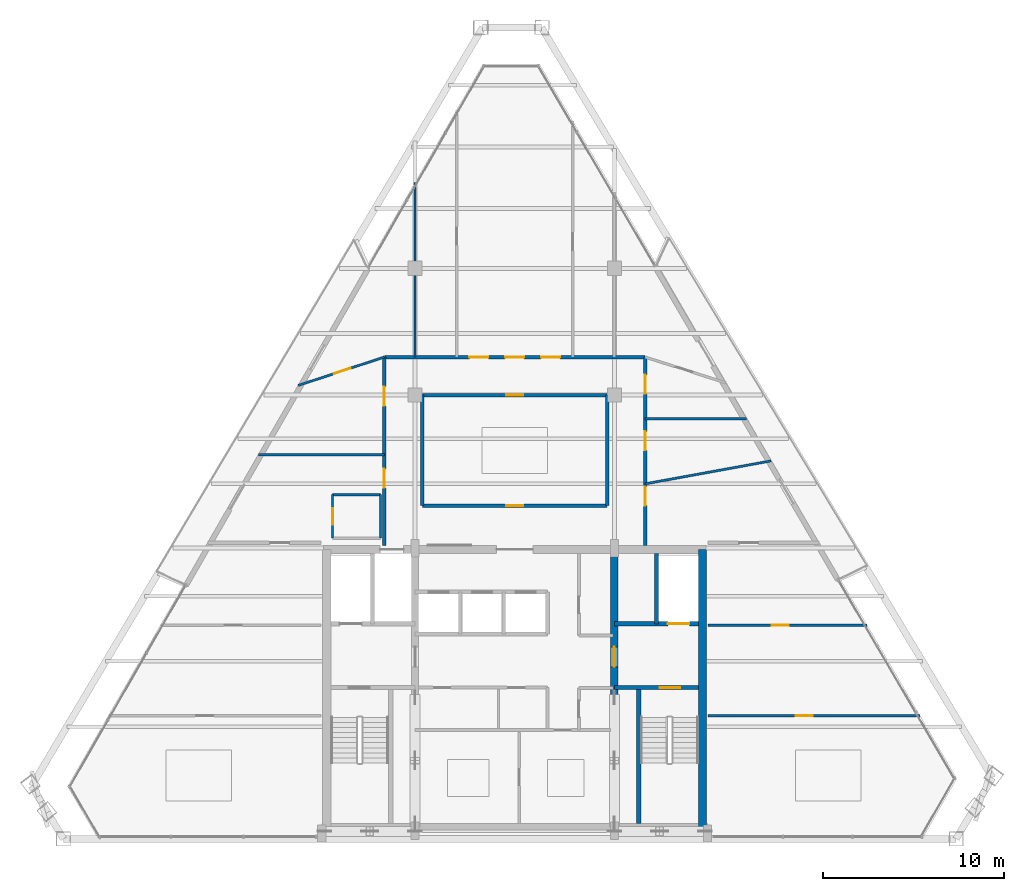
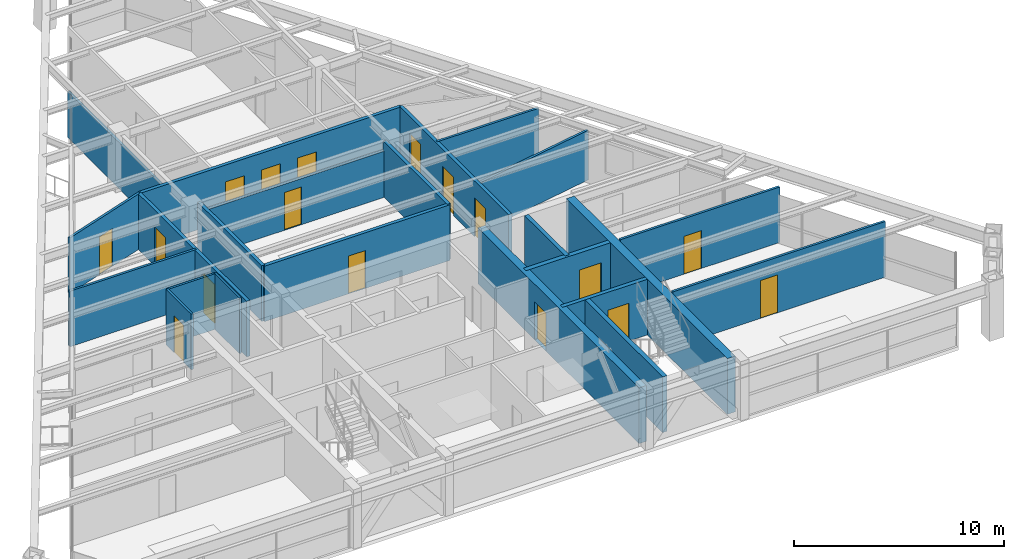
# One storey, part 10 of 13: 23 walls, 17 doors, 17 openings.
"""IFC4 building model written with IfcOpenShell, lengths in metres."""

import ifcopenshell
import ifcopenshell.guid

model = None  # the IFC model being written
_history = None  # IfcOwnerHistory: only IFC2X3 demands one
_inside = {}  # id of a spatial element -> (the spatial element, [elements in it])
_under = {}  # id of a project, library or spatial element -> (it, [spatial elements below it])
_declared = {}  # id of a project -> (the project, [libraries it declares])
_typed = {}  # id of a type object -> (the type object, [elements of that type])
_made_of = {}  # id of a material, layer set ... -> (it, [elements and type objects made of it])


def new_model(schema):
    """Start an empty IFC model of exactly this schema.

    Asked for "IFC4X3", IfcOpenShell would pick the latest addendum, in which some entities
    have other attributes; the version numbers below select the first issue.
    IFC2X3 requires an IfcOwnerHistory on every rooted entity: one is made here for all.
    """
    global model, _history
    if schema == "IFC4X3":
        model = ifcopenshell.file(schema_version=(4, 3, 0, 0))
    else:
        model = ifcopenshell.file(schema=schema)
    _inside.clear()
    _under.clear()
    _declared.clear()
    _typed.clear()
    _made_of.clear()
    _history = None
    if model.schema == "IFC2X3":
        org = make("IfcOrganization", Name="unknown")
        user = make(
            "IfcPersonAndOrganization",
            ThePerson=make("IfcPerson", FamilyName="unknown"),
            TheOrganization=org,
        )
        app = make(
            "IfcApplication",
            ApplicationDeveloper=org,
            Version="unknown",
            ApplicationFullName="unknown",
            ApplicationIdentifier="unknown",
        )
        _history = make(
            "IfcOwnerHistory",
            OwningUser=user,
            OwningApplication=app,
            ChangeAction="ADDED",
            CreationDate=0,
        )
    return model


def make(cls, **values):
    """One entity of the class cls with the attributes given. An attribute that is None is left unset."""
    return model.create_entity(
        cls, **{name: value for name, value in values.items() if value is not None}
    )


def rooted(cls, **values):
    """An entity with a GlobalId (a new one), such as an element, a storey or a relation."""
    return make(cls, GlobalId=ifcopenshell.guid.new(), OwnerHistory=_history, **values)


def si_unit(unit_type, name, prefix=None):
    """IfcSIUnit, for example si_unit("LENGTHUNIT", "METRE", prefix="MILLI")."""
    return make("IfcSIUnit", UnitType=unit_type, Prefix=prefix, Name=name)


def assignment(units):
    """IfcUnitAssignment: the units of a project."""
    return None if units is None else make("IfcUnitAssignment", Units=units)


def point(xyz):
    """IfcCartesianPoint."""
    return None if xyz is None else make("IfcCartesianPoint", Coordinates=xyz)


def direction(xyz):
    """IfcDirection."""
    return None if xyz is None else make("IfcDirection", DirectionRatios=xyz)


def frame(location, z_axis=None, x_axis=None):
    """IfcAxis2Placement3D, a coordinate frame: its origin and axes. An axis left out is left unset."""
    return make(
        "IfcAxis2Placement3D",
        Location=point(location),
        Axis=direction(z_axis),
        RefDirection=direction(x_axis),
    )


def frame_2d(location, x_axis=None):
    """IfcAxis2Placement2D, a coordinate frame in the plane: its origin and x axis."""
    return make(
        "IfcAxis2Placement2D", Location=point(location), RefDirection=direction(x_axis)
    )


def origin():
    """The frame at (0, 0, 0) with its axes left unset."""
    return frame((0.0, 0.0, 0.0))


def place(relative_to, where):
    """IfcLocalPlacement: puts the frame where relative to a parent placement (None: the world)."""
    return make(
        "IfcLocalPlacement", PlacementRelTo=relative_to, RelativePlacement=where
    )


def context(
    kind, dimensions, precision=None, world=None, true_north=None, identifier=None
):
    """IfcGeometricRepresentationContext, for example the 3D "Model" context."""
    return make(
        "IfcGeometricRepresentationContext",
        ContextIdentifier=identifier,
        ContextType=kind,
        CoordinateSpaceDimension=dimensions,
        Precision=precision,
        WorldCoordinateSystem=world,
        TrueNorth=true_north,
    )


def subcontext(parent, identifier, kind, view, scale=None):
    """IfcGeometricRepresentationSubContext, for example "Body" below "Model"."""
    return make(
        "IfcGeometricRepresentationSubContext",
        ContextIdentifier=identifier,
        ContextType=kind,
        ParentContext=parent,
        TargetScale=scale,
        TargetView=view,
    )


def project(units=None, contexts=None):
    """IfcProject with its units and contexts."""
    return rooted(
        "IfcProject",
        Name="project",
        RepresentationContexts=contexts,
        UnitsInContext=assignment(units),
    )


def spatial(cls, under=None, at=None, **own):
    """A site, building, storey or space (cls), placed at a placement, below another one or the project."""
    s = rooted(cls, ObjectPlacement=at, **own)
    if under is not None:
        _under.setdefault(under.id(), (under, []))[1].append(s)
    return s


def profile(cls, at=None, kind="AREA", **sizes):
    """A parametric profile (cls). Its sizes go by their IFC names, for example OverallWidth=200.0."""
    return make(cls, ProfileType=kind, Position=at, **sizes)


def rectangle(**sizes):
    """IfcRectangleProfileDef."""
    return profile("IfcRectangleProfileDef", **sizes)


def extrude(swept, where, along, depth):
    """IfcExtrudedAreaSolid: the profile swept, set in the frame where, extruded along a direction by depth."""
    return make(
        "IfcExtrudedAreaSolid",
        SweptArea=swept,
        Position=where,
        ExtrudedDirection=direction(along),
        Depth=depth,
    )


def shape(context_of_items, identifier, shape_type, items):
    """IfcShapeRepresentation: the items that make up one representation, for example the "Body"."""
    return make(
        "IfcShapeRepresentation",
        ContextOfItems=context_of_items,
        RepresentationIdentifier=identifier,
        RepresentationType=shape_type,
        Items=items,
    )


def source(mapping_origin, context_of_items, identifier, shape_type, items):
    """IfcRepresentationMap: a shape defined once, which mapped items show again and again."""
    return make(
        "IfcRepresentationMap",
        MappingOrigin=mapping_origin,
        MappedRepresentation=shape(context_of_items, identifier, shape_type, items),
    )


def transform(
    local_origin,
    x_axis=None,
    y_axis=None,
    z_axis=None,
    scale=None,
    scale2=None,
    scale3=None,
    uniform=True,
):
    """IfcCartesianTransformationOperator3D, or its non-uniform kind. x_axis, y_axis, z_axis: its Axis1, 2, 3."""
    if uniform:
        return make(
            "IfcCartesianTransformationOperator3D",
            Axis1=direction(x_axis),
            Axis2=direction(y_axis),
            LocalOrigin=point(local_origin),
            Scale=scale,
            Axis3=direction(z_axis),
        )
    return make(
        "IfcCartesianTransformationOperator3DnonUniform",
        Axis1=direction(x_axis),
        Axis2=direction(y_axis),
        LocalOrigin=point(local_origin),
        Scale=scale,
        Axis3=direction(z_axis),
        Scale2=scale2,
        Scale3=scale3,
    )


def mapped(mapping_source, mapping_target):
    """IfcMappedItem: shows the shape of a source again, moved by a transform."""
    return make(
        "IfcMappedItem", MappingSource=mapping_source, MappingTarget=mapping_target
    )


def material(Name=None, Category=None):
    """IfcMaterial."""
    return make("IfcMaterial", Name=Name, Category=Category)


def layer(
    of_material, thickness, ventilated=None, Name=None, Category=None, Priority=None
):
    """IfcMaterialLayer: one layer of a wall or slab, of a material (None: an air gap)."""
    return make(
        "IfcMaterialLayer",
        Material=of_material,
        LayerThickness=thickness,
        IsVentilated=ventilated,
        Name=Name,
        Category=Category,
        Priority=Priority,
    )


def layer_set(layers, Name=None):
    """IfcMaterialLayerSet."""
    return make("IfcMaterialLayerSet", MaterialLayers=layers, LayerSetName=Name)


def made_of(thing, what):
    """Note that an element or type object is made of a material, layer set ...; save() writes the relation."""
    if what is not None:
        _made_of.setdefault(what.id(), (what, []))[1].append(thing)
    return thing


def type_object(cls, material=None, **own):
    """A type object (cls), such as IfcWallType, which elements share."""
    return made_of(rooted(cls, **own), material)


def type_shapes(of_type, sources):
    """Give a type object the sources (RepresentationMaps) that its elements show as mapped items."""
    of_type.RepresentationMaps = sources


def element(
    cls,
    number,
    at=None,
    inside=None,
    cuts=None,
    type_object=None,
    material=None,
    context=None,
    identifier="Body",
    shape_type=None,
    held_by="IfcProductDefinitionShape",
    body=None,
    shapes=None,
    **own,
):
    """One element of the class cls, such as IfcWall. Its Tag is "e" and its number.

    at: its placement. inside: the storey or other place that contains it. cuts: it is an
    opening in that element (IfcRelVoidsElement). A single representation is given by context,
    identifier, shape_type and body (its items); several are given by shapes. held_by: the class
    of the entity that holds the representations. save() writes the other relations.
    """
    e = rooted(cls, Tag="e%d" % number, ObjectPlacement=at, **own)
    if body is not None:
        shapes = [shape(context, identifier, shape_type, body)]
    if shapes is not None:
        e.Representation = make(held_by, Representations=shapes)
    if inside is not None:
        _inside.setdefault(inside.id(), (inside, []))[1].append(e)
    if cuts is not None:
        rooted(
            "IfcRelVoidsElement", RelatingBuildingElement=cuts, RelatedOpeningElement=e
        )
    if type_object is not None:
        _typed.setdefault(type_object.id(), (type_object, []))[1].append(e)
    return made_of(e, material)


def fill(opening, filler):
    """IfcRelFillsElement: the door or window that sits in an opening."""
    return rooted(
        "IfcRelFillsElement",
        RelatingOpeningElement=opening,
        RelatedBuildingElement=filler,
    )


def aggregate(whole, parts):
    """IfcRelAggregates: a whole, such as a stair, and the parts it consists of."""
    return rooted("IfcRelAggregates", RelatingObject=whole, RelatedObjects=parts)


def save(model, path):
    """Write the relations noted so far, then the file.

    IfcRelAggregates (storeys below a building ...), IfcRelContainedInSpatialStructure (elements
    in a storey), IfcRelDefinesByType, IfcRelAssociatesMaterial and IfcRelDeclares: one each for
    every whole, place, type object, material and project.
    """
    for whole, parts in _under.values():
        aggregate(whole, parts)
    for where, things in _inside.values():
        rooted(
            "IfcRelContainedInSpatialStructure",
            RelatedElements=things,
            RelatingStructure=where,
        )
    for kind, things in _typed.values():
        rooted("IfcRelDefinesByType", RelatedObjects=things, RelatingType=kind)
    for what, things in _made_of.values():
        rooted("IfcRelAssociatesMaterial", RelatedObjects=things, RelatingMaterial=what)
    for by, libraries in _declared.values():
        rooted("IfcRelDeclares", RelatingContext=by, RelatedDefinitions=libraries)
    model.write(path)


model = new_model("IFC4")

# Units and contexts
model_context = context("Model", 3, precision=1e-05, world=origin(), true_north=direction((0.0, 1.0)))
body_context = subcontext(model_context, "Body", "Model", "MODEL_VIEW")
ifc_project = project(units=[si_unit("LENGTHUNIT", "METRE"), si_unit("AREAUNIT", "SQUARE_METRE"), si_unit("VOLUMEUNIT", "CUBIC_METRE"), si_unit("PLANEANGLEUNIT", "RADIAN"), si_unit("MASSUNIT", "GRAM", prefix="KILO")], contexts=[model_context])

# Site, building, storey
site_placement = place(None, origin())
site = spatial("IfcSite", under=ifc_project, at=site_placement, CompositionType="ELEMENT")
building_placement = place(site_placement, origin())
building = spatial("IfcBuilding", under=site, at=building_placement, Name="Varnakhor Terracotta Tower", CompositionType="ELEMENT")
storey_placement = place(building_placement, frame((0.0, 0.0, 286.800048828125)))
storey = spatial("IfcBuildingStorey", under=building, at=storey_placement, Name="L75", CompositionType="ELEMENT", Elevation=286.800048828125)

# Wall
ifc_material_1 = material(Name="Moisture-Resistant Tile-Backed Partition", Category="gypsum")
ifc_layer_1 = layer(ifc_material_1, 0.114990234375, Name="Moisture-Resistant Tile-Backed Partition")
ifc_layer_set_1 = layer_set([ifc_layer_1], Name="Moisture-Resistant Tile-Backed Partition")
wall_type_1 = type_object("IfcWallType", Name="WAL-BATH-115", PredefinedType="PARTITIONING", material=ifc_layer_set_1)
wall_1_placement = place(storey_placement, frame((-10.050048828125, 19.0, 0.0), z_axis=(0.0, 0.0, 1.0), x_axis=(1.0, 0.0, 0.0)))
element("IfcWall", 1, at=wall_1_placement, inside=storey, type_object=wall_type_1, Name="L75 En-Suite 1 Wall N", PredefinedType="PARTITIONING", context=body_context, shape_type="SweptSolid", body=[
    extrude(rectangle(XDim=2.650146484375, YDim=0.114990234375, at=frame_2d((1.3251953125, 0.0))), origin(), (0.0, 0.0, 1.0), 3.23193359375),
])

# Wall, opening, door
wall_2_placement = place(storey_placement, frame((-10.050048828125, 16.60009765625, 0.0), z_axis=(0.0, 0.0, 1.0), x_axis=(0.0, 1.0, 0.0)))
wall_2 = element("IfcWall", 2, at=wall_2_placement, inside=storey, type_object=wall_type_1, Name="L75 En-Suite 1 Wall W", PredefinedType="PARTITIONING", context=body_context, shape_type="SweptSolid", body=[
    extrude(rectangle(XDim=2.39990234375, YDim=0.114990234375, at=frame_2d((1.199951171875, 0.0))), origin(), (0.0, 0.0, 1.0), 3.23193359375),
])
opening_1_placement = place(wall_2_placement, frame((0.75, 0.0, 0.0)))
opening_1 = element("IfcOpeningElement", 3, at=opening_1_placement, cuts=wall_2, Name="Opening DR-93", PredefinedType="OPENING", context=body_context, shape_type="SweptSolid", body=[
    extrude(rectangle(XDim=0.89990234375, YDim=2.14990234375, at=frame_2d((0.449951171875, 1.074951171875))), frame((0.0, 0.0673828125, 0.0), z_axis=(0.0, -1.0, 0.0), x_axis=(1.0, 0.0, 0.0)), (0.0, 0.0, 1.0), 0.135009765625),
])
ifc_material_2 = material(Name="Moisture-Resistant Accessible Bathroom Door", Category="wood")
door_type_1 = type_object("IfcDoorType", Name="DR-BATH-900X2150", OperationType="NOTDEFINED", PredefinedType="DOOR", material=ifc_material_2)
shared_shape_1 = source(origin(), body_context, "Body", "SweptSolid", [
    extrude(rectangle(XDim=0.89990234375, YDim=2.14990234375, at=frame_2d((0.449951171875, 1.074951171875))), frame((0.0, 0.02490234375, 0.0), z_axis=(0.0, -1.0, 0.0), x_axis=(1.0, 0.0, 0.0)), (0.0, 0.0, 1.0), 0.050048828125),
])
type_shapes(door_type_1, [shared_shape_1])
door_1_placement = place(opening_1_placement, origin())
door_1 = element("IfcDoor", 4, at=door_1_placement, inside=storey, type_object=door_type_1, Name="L75 En-Suite Bathroom 1 Door", OperationType="SINGLE_SWING_LEFT", OverallHeight=2.14990234375, OverallWidth=0.89990234375, PredefinedType="DOOR", context=body_context, shape_type="MappedRepresentation", body=[
    mapped(shared_shape_1, transform((0.0, 0.0, 0.0), scale=1.0)),
])
fill(opening_1, door_1)

# Walls
wall_3_placement = place(storey_placement, frame((-7.39990234375, 16.60009765625, 0.0), z_axis=(0.0, 0.0, 1.0), x_axis=(0.0, 1.0, 0.0)))
element("IfcWall", 5, at=wall_3_placement, inside=storey, type_object=wall_type_1, Name="L75 En-Suite 1 Wall E", PredefinedType="PARTITIONING", context=body_context, shape_type="SweptSolid", body=[
    extrude(rectangle(XDim=2.39990234375, YDim=0.114990234375, at=frame_2d((1.199951171875, 0.0))), origin(), (0.0, 0.0, 1.0), 3.23193359375),
])
ifc_material_3 = material(Name="Concrete C50/60", Category="concrete")
ifc_layer_2 = layer(ifc_material_3, 0.449951171875, Name="Concrete C50/60")
ifc_layer_set_2 = layer_set([ifc_layer_2], Name="Concrete C50/60")
wall_type_2 = type_object("IfcWallType", Name="WAL-CORE-450", PredefinedType="SHEAR", material=ifc_layer_set_2)
wall_4_placement = place(storey_placement, frame((10.375, 0.625, 0.0), z_axis=(0.0, 0.0, 1.0), x_axis=(0.0, 1.0, 0.0)))
element("IfcWall", 6, at=wall_4_placement, inside=storey, type_object=wall_type_2, Name="L75 East Core Shear Wall", PredefinedType="SHEAR", context=body_context, shape_type="SweptSolid", body=[
    extrude(rectangle(XDim=15.35009765625, YDim=0.449951171875, at=frame_2d((7.675048828125, 0.0))), origin(), (0.0, 0.0, 1.0), 3.239990234375),
])

# Wall, opening, door
ifc_layer_3 = layer(ifc_material_3, 0.39990234375, Name="Concrete C50/60")
ifc_layer_set_3 = layer_set([ifc_layer_3], Name="Concrete C50/60")
wall_type_3 = type_object("IfcWallType", Name="WAL-CORE-WEB-400", PredefinedType="SHEAR", material=ifc_layer_set_3)
wall_5_placement = place(storey_placement, frame((5.5, 0.625, 0.0), z_axis=(0.0, 0.0, 1.0), x_axis=(0.0, 1.0, 0.0)))
wall_5 = element("IfcWall", 7, at=wall_5_placement, inside=storey, type_object=wall_type_3, Name="L75 East Core Web Shear Wall", PredefinedType="SHEAR", context=body_context, shape_type="SweptSolid", body=[
    extrude(rectangle(XDim=15.35009765625, YDim=0.39990234375, at=frame_2d((7.675048828125, 0.0))), origin(), (0.0, 0.0, 1.0), 3.239990234375),
])
opening_2_placement = place(wall_5_placement, frame((8.875, 0.0, 0.0)))
opening_2 = element("IfcOpeningElement", 8, at=opening_2_placement, cuts=wall_5, Name="Opening DR-25", PredefinedType="OPENING", context=body_context, shape_type="SweptSolid", body=[
    extrude(rectangle(XDim=1.10009765625, YDim=2.199951171875, at=frame_2d((0.550048828125, 1.10009765625))), frame((0.0, 0.2099609375, 0.0), z_axis=(0.0, -1.0, 0.0), x_axis=(1.0, 0.0, 0.0)), (0.0, 0.0, 1.0), 0.419921875),
])
ifc_material_4 = material(Name="Firefighting Lobby Self-Closing Fire Door", Category="steel")
door_type_2 = type_object("IfcDoorType", Name="DR-FFL-1100X2200", OperationType="NOTDEFINED", PredefinedType="DOOR", material=ifc_material_4)
shared_shape_2 = source(origin(), body_context, "Body", "SweptSolid", [
    extrude(rectangle(XDim=1.10009765625, YDim=2.199951171875, at=frame_2d((0.550048828125, 1.10009765625))), frame((0.0, 0.02490234375, 0.0), z_axis=(0.0, -1.0, 0.0), x_axis=(1.0, 0.0, 0.0)), (0.0, 0.0, 1.0), 0.050048828125),
])
type_shapes(door_type_2, [shared_shape_2])
door_2_placement = place(opening_2_placement, origin())
door_2 = element("IfcDoor", 9, at=door_2_placement, inside=storey, type_object=door_type_2, Name="L75 East Firefighting Lobby Door", OperationType="SINGLE_SWING_LEFT", OverallHeight=2.199951171875, OverallWidth=1.10009765625, PredefinedType="DOOR", context=body_context, shape_type="MappedRepresentation", body=[
    mapped(shared_shape_2, transform((0.0, 0.0, 0.0), scale=1.0)),
])
fill(opening_2, door_2)

ifc_material_5 = material(Name="Fire-Rated Gypsum Stud Partition", Category="gypsum")
ifc_layer_4 = layer(ifc_material_5, 0.18505859375, Name="Fire-Rated Gypsum Stud Partition")
ifc_layer_set_4 = layer_set([ifc_layer_4], Name="Fire-Rated Gypsum Stud Partition")
wall_type_4 = type_object("IfcWallType", Name="WAL-CORR-185", PredefinedType="PARTITIONING", material=ifc_layer_set_4)
wall_6_placement = place(storey_placement, frame((-5.10009765625, 18.39990234375, 0.0), z_axis=(0.0, 0.0, 1.0), x_axis=(1.0, 0.0, 0.0)))
wall_6 = element("IfcWall", 10, at=wall_6_placement, inside=storey, type_object=wall_type_4, Name="L75 Ring Inner South Wall", PredefinedType="PARTITIONING", context=body_context, shape_type="SweptSolid", body=[
    extrude(rectangle(XDim=10.2001953125, YDim=0.18505859375, at=frame_2d((5.10009765625, 0.0))), origin(), (0.0, 0.0, 1.0), 3.23193359375),
])
opening_3_placement = place(wall_6_placement, frame((4.625, 0.0, 0.0)))
opening_3 = element("IfcOpeningElement", 11, at=opening_3_placement, cuts=wall_6, Name="Opening DR-94", PredefinedType="OPENING", context=body_context, shape_type="SweptSolid", body=[
    extrude(rectangle(XDim=0.949951171875, YDim=2.199951171875, at=frame_2d((0.47509765625, 1.10009765625))), frame((0.0, 0.1025390625, 0.0), z_axis=(0.0, -1.0, 0.0), x_axis=(1.0, 0.0, 0.0)), (0.0, 0.0, 1.0), 0.205078125),
])
ifc_material_6 = material(Name="Acoustic Glazed-Vision Timber Office Door", Category="wood")
door_type_3 = type_object("IfcDoorType", Name="DR-OFF-950X2200", OperationType="NOTDEFINED", PredefinedType="DOOR", material=ifc_material_6)
shared_shape_3 = source(origin(), body_context, "Body", "SweptSolid", [
    extrude(rectangle(XDim=0.949951171875, YDim=2.199951171875, at=frame_2d((0.47509765625, 1.10009765625))), frame((0.0, 0.02490234375, 0.0), z_axis=(0.0, -1.0, 0.0), x_axis=(1.0, 0.0, 0.0)), (0.0, 0.0, 1.0), 0.050048828125),
])
type_shapes(door_type_3, [shared_shape_3])
door_3_placement = place(opening_3_placement, origin())
door_3 = element("IfcDoor", 12, at=door_3_placement, inside=storey, type_object=door_type_3, Name="L75 Housekeeping Station Door", OperationType="SINGLE_SWING_RIGHT", OverallHeight=2.199951171875, OverallWidth=0.949951171875, PredefinedType="DOOR", context=body_context, shape_type="MappedRepresentation", body=[
    mapped(shared_shape_3, transform((0.0, 0.0, 0.0), scale=1.0)),
])
fill(opening_3, door_3)

wall_7_placement = place(storey_placement, frame((-5.10009765625, 24.5, 0.0), z_axis=(0.0, 0.0, 1.0), x_axis=(1.0, 0.0, 0.0)))
wall_7 = element("IfcWall", 13, at=wall_7_placement, inside=storey, type_object=wall_type_4, Name="L75 Ring Inner North Wall", PredefinedType="PARTITIONING", context=body_context, shape_type="SweptSolid", body=[
    extrude(rectangle(XDim=10.2001953125, YDim=0.18505859375, at=frame_2d((5.10009765625, 0.0))), origin(), (0.0, 0.0, 1.0), 2.682861328125),
])
opening_4_placement = place(wall_7_placement, frame((4.625, 0.0, 0.0)))
opening_4 = element("IfcOpeningElement", 14, at=opening_4_placement, cuts=wall_7, Name="Opening DR-94", PredefinedType="OPENING", context=body_context, shape_type="SweptSolid", body=[
    extrude(rectangle(XDim=0.949951171875, YDim=2.199951171875, at=frame_2d((0.47509765625, 1.10009765625))), frame((0.0, 0.1025390625, 0.0), z_axis=(0.0, -1.0, 0.0), x_axis=(1.0, 0.0, 0.0)), (0.0, 0.0, 1.0), 0.205078125),
])
door_4_placement = place(opening_4_placement, origin())
door_4 = element("IfcDoor", 15, at=door_4_placement, inside=storey, type_object=door_type_3, Name="L75 Inner Service Door", OperationType="SINGLE_SWING_LEFT", OverallHeight=2.199951171875, OverallWidth=0.949951171875, PredefinedType="DOOR", context=body_context, shape_type="MappedRepresentation", body=[
    mapped(shared_shape_3, transform((0.0, 0.0, 0.0), scale=1.0)),
])
fill(opening_4, door_4)

# Walls
for number, where, z_axis, x_axis, name in (
    (16, (-5.10009765625, 18.39990234375, 0.0), (0.0, 0.0, 1.0), (0.0, 1.0, 0.0), "L75 Ring Inner West Wall"),
    (17, (5.10009765625, 18.39990234375, 0.0), (0.0, 0.0, 1.0), (0.0, 1.0, 0.0), "L75 Ring Inner East Wall"),
):
    element("IfcWall", number, at=place(storey_placement, frame(where, z_axis=z_axis, x_axis=x_axis)), inside=storey, type_object=wall_type_4, Name=name, PredefinedType="PARTITIONING", context=body_context, shape_type="SweptSolid", body=[
        extrude(rectangle(XDim=6.10009765625, YDim=0.18505859375, at=frame_2d((3.050048828125, 0.0))), origin(), (0.0, 0.0, 1.0), 3.23193359375),
    ])

# Wall, openings, doors
wall_8_placement = place(storey_placement, frame((-7.199951171875, 16.199951171875, 0.0), z_axis=(0.0, 0.0, 1.0), x_axis=(0.0, 1.0, 0.0)))
wall_8 = element("IfcWall", 18, at=wall_8_placement, inside=storey, type_object=wall_type_4, Name="L75 Hotel West Corridor Wall", PredefinedType="PARTITIONING", context=body_context, shape_type="SweptSolid", body=[
    extrude(rectangle(XDim=10.400146484375, YDim=0.18505859375, at=frame_2d((5.2001953125, 0.0))), origin(), (0.0, 0.0, 1.0), 3.23193359375),
])
opening_5_placement = place(wall_8_placement, frame((3.1796875, 0.0, 0.0)))
opening_5 = element("IfcOpeningElement", 19, at=opening_5_placement, cuts=wall_8, Name="Opening DR-95", PredefinedType="OPENING", context=body_context, shape_type="SweptSolid", body=[
    extrude(rectangle(XDim=1.050048828125, YDim=2.25, at=frame_2d((0.52490234375, 1.125))), frame((0.0, 0.1025390625, 0.0), z_axis=(0.0, -1.0, 0.0), x_axis=(1.0, 0.0, 0.0)), (0.0, 0.0, 1.0), 0.205078125),
])
opening_6_placement = place(wall_8_placement, frame((7.71240234375, 0.0, 0.0)))
opening_6 = element("IfcOpeningElement", 20, at=opening_6_placement, cuts=wall_8, Name="Opening DR-95", PredefinedType="OPENING", context=body_context, shape_type="SweptSolid", body=[
    extrude(rectangle(XDim=1.050048828125, YDim=2.25, at=frame_2d((0.52490234375, 1.125))), frame((0.0, 0.1025390625, 0.0), z_axis=(0.0, -1.0, 0.0), x_axis=(1.0, 0.0, 0.0)), (0.0, 0.0, 1.0), 0.205078125),
])
ifc_material_7 = material(Name="Solid-Core Timber Tenant/Hotel Entrance Door", Category="wood")
door_type_4 = type_object("IfcDoorType", Name="DR-SUITE-1050X2250", OperationType="NOTDEFINED", PredefinedType="DOOR", material=ifc_material_7)
shared_shape_4 = source(origin(), body_context, "Body", "SweptSolid", [
    extrude(rectangle(XDim=1.050048828125, YDim=2.25, at=frame_2d((0.52490234375, 1.125))), frame((0.0, 0.02490234375, 0.0), z_axis=(0.0, -1.0, 0.0), x_axis=(1.0, 0.0, 0.0)), (0.0, 0.0, 1.0), 0.050048828125),
])
type_shapes(door_type_4, [shared_shape_4])
door_5_placement = place(opening_5_placement, origin())
door_5 = element("IfcDoor", 21, at=door_5_placement, inside=storey, type_object=door_type_4, Name="L75 West Room 1 Entry Door", OperationType="SINGLE_SWING_RIGHT", OverallHeight=2.25, OverallWidth=1.050048828125, PredefinedType="DOOR", context=body_context, shape_type="MappedRepresentation", body=[
    mapped(shared_shape_4, transform((0.0, 0.0, 0.0), scale=1.0)),
])
fill(opening_5, door_5)
door_6_placement = place(opening_6_placement, origin())
door_6 = element("IfcDoor", 22, at=door_6_placement, inside=storey, type_object=door_type_4, Name="L75 West Room 2 Entry Door", OperationType="SINGLE_SWING_RIGHT", OverallHeight=2.25, OverallWidth=1.050048828125, PredefinedType="DOOR", context=body_context, shape_type="MappedRepresentation", body=[
    mapped(shared_shape_4, transform((0.0, 0.0, 0.0), scale=1.0)),
])
fill(opening_6, door_6)

wall_9_placement = place(storey_placement, frame((7.199951171875, 16.199951171875, 0.0), z_axis=(0.0, 0.0, 1.0), x_axis=(0.0, 1.0, 0.0)))
wall_9 = element("IfcWall", 23, at=wall_9_placement, inside=storey, type_object=wall_type_4, Name="L75 Hotel East Corridor Wall", PredefinedType="PARTITIONING", context=body_context, shape_type="SweptSolid", body=[
    extrude(rectangle(XDim=10.400146484375, YDim=0.18505859375, at=frame_2d((5.2001953125, 0.0))), origin(), (0.0, 0.0, 1.0), 3.23193359375),
])
opening_7_placement = place(wall_9_placement, frame((2.1982421875, 0.0, 0.0)))
opening_7 = element("IfcOpeningElement", 24, at=opening_7_placement, cuts=wall_9, Name="Opening DR-95", PredefinedType="OPENING", context=body_context, shape_type="SweptSolid", body=[
    extrude(rectangle(XDim=1.050048828125, YDim=2.25, at=frame_2d((0.52490234375, 1.125))), frame((0.0, 0.1025390625, 0.0), z_axis=(0.0, -1.0, 0.0), x_axis=(1.0, 0.0, 0.0)), (0.0, 0.0, 1.0), 0.205078125),
])
opening_8_placement = place(wall_9_placement, frame((5.25244140625, 0.0, 0.0)))
opening_8 = element("IfcOpeningElement", 25, at=opening_8_placement, cuts=wall_9, Name="Opening DR-95", PredefinedType="OPENING", context=body_context, shape_type="SweptSolid", body=[
    extrude(rectangle(XDim=1.050048828125, YDim=2.25, at=frame_2d((0.52490234375, 1.125))), frame((0.0, 0.1025390625, 0.0), z_axis=(0.0, -1.0, 0.0), x_axis=(1.0, 0.0, 0.0)), (0.0, 0.0, 1.0), 0.205078125),
])
opening_9_placement = place(wall_9_placement, frame((8.36865234375, 0.0, 0.0)))
opening_9 = element("IfcOpeningElement", 26, at=opening_9_placement, cuts=wall_9, Name="Opening DR-95", PredefinedType="OPENING", context=body_context, shape_type="SweptSolid", body=[
    extrude(rectangle(XDim=1.050048828125, YDim=2.25, at=frame_2d((0.52490234375, 1.125))), frame((0.0, 0.1025390625, 0.0), z_axis=(0.0, -1.0, 0.0), x_axis=(1.0, 0.0, 0.0)), (0.0, 0.0, 1.0), 0.205078125),
])
door_7_placement = place(opening_7_placement, origin())
door_7 = element("IfcDoor", 27, at=door_7_placement, inside=storey, type_object=door_type_4, Name="L75 East Room 1 Entry Door", OperationType="SINGLE_SWING_LEFT", OverallHeight=2.25, OverallWidth=1.050048828125, PredefinedType="DOOR", context=body_context, shape_type="MappedRepresentation", body=[
    mapped(shared_shape_4, transform((0.0, 0.0, 0.0), scale=1.0)),
])
fill(opening_7, door_7)
door_8_placement = place(opening_8_placement, origin())
door_8 = element("IfcDoor", 28, at=door_8_placement, inside=storey, type_object=door_type_4, Name="L75 East Room 2 Entry Door", OperationType="SINGLE_SWING_RIGHT", OverallHeight=2.25, OverallWidth=1.050048828125, PredefinedType="DOOR", context=body_context, shape_type="MappedRepresentation", body=[
    mapped(shared_shape_4, transform((0.0, 0.0, 0.0), scale=1.0)),
])
fill(opening_8, door_8)
door_9_placement = place(opening_9_placement, origin())
door_9 = element("IfcDoor", 29, at=door_9_placement, inside=storey, type_object=door_type_4, Name="L75 East Room 3 Entry Door", OperationType="SINGLE_SWING_LEFT", OverallHeight=2.25, OverallWidth=1.050048828125, PredefinedType="DOOR", context=body_context, shape_type="MappedRepresentation", body=[
    mapped(shared_shape_4, transform((0.0, 0.0, 0.0), scale=1.0)),
])
fill(opening_9, door_9)

wall_10_placement = place(storey_placement, frame((-7.199951171875, 26.60009765625, 0.0), z_axis=(0.0, 0.0, 1.0), x_axis=(1.0, 0.0, 0.0)))
wall_10 = element("IfcWall", 30, at=wall_10_placement, inside=storey, type_object=wall_type_4, Name="L75 Hotel North Corridor Wall", PredefinedType="PARTITIONING", context=body_context, shape_type="SweptSolid", body=[
    extrude(rectangle(XDim=14.39990234375, YDim=0.18505859375, at=frame_2d((7.199951171875, 0.0))), origin(), (0.0, 0.0, 1.0), 3.23193359375),
])
opening_10_placement = place(wall_10_placement, frame((4.697509765625, 0.0, 0.0)))
opening_10 = element("IfcOpeningElement", 31, at=opening_10_placement, cuts=wall_10, Name="Opening DR-95", PredefinedType="OPENING", context=body_context, shape_type="SweptSolid", body=[
    extrude(rectangle(XDim=1.050048828125, YDim=2.25, at=frame_2d((0.52490234375, 1.125))), frame((0.0, 0.1025390625, 0.0), z_axis=(0.0, -1.0, 0.0), x_axis=(1.0, 0.0, 0.0)), (0.0, 0.0, 1.0), 0.205078125),
])
opening_11_placement = place(wall_10_placement, frame((6.675048828125, 0.0, 0.0)))
opening_11 = element("IfcOpeningElement", 32, at=opening_11_placement, cuts=wall_10, Name="Opening DR-95", PredefinedType="OPENING", context=body_context, shape_type="SweptSolid", body=[
    extrude(rectangle(XDim=1.050048828125, YDim=2.25, at=frame_2d((0.52490234375, 1.125))), frame((0.0, 0.1025390625, 0.0), z_axis=(0.0, -1.0, 0.0), x_axis=(1.0, 0.0, 0.0)), (0.0, 0.0, 1.0), 0.205078125),
])
opening_12_placement = place(wall_10_placement, frame((8.652587890625, 0.0, 0.0)))
opening_12 = element("IfcOpeningElement", 33, at=opening_12_placement, cuts=wall_10, Name="Opening DR-95", PredefinedType="OPENING", context=body_context, shape_type="SweptSolid", body=[
    extrude(rectangle(XDim=1.050048828125, YDim=2.25, at=frame_2d((0.52490234375, 1.125))), frame((0.0, 0.1025390625, 0.0), z_axis=(0.0, -1.0, 0.0), x_axis=(1.0, 0.0, 0.0)), (0.0, 0.0, 1.0), 0.205078125),
])
door_10_placement = place(opening_10_placement, origin())
door_10 = element("IfcDoor", 34, at=door_10_placement, inside=storey, type_object=door_type_4, Name="L75 North Suite 1 Entry Door", OperationType="SINGLE_SWING_RIGHT", OverallHeight=2.25, OverallWidth=1.050048828125, PredefinedType="DOOR", context=body_context, shape_type="MappedRepresentation", body=[
    mapped(shared_shape_4, transform((0.0, 0.0, 0.0), scale=1.0)),
])
fill(opening_10, door_10)
door_11_placement = place(opening_11_placement, origin())
door_11 = element("IfcDoor", 35, at=door_11_placement, inside=storey, type_object=door_type_4, Name="L75 North Suite 2 Entry Door", OperationType="SINGLE_SWING_LEFT", OverallHeight=2.25, OverallWidth=1.050048828125, PredefinedType="DOOR", context=body_context, shape_type="MappedRepresentation", body=[
    mapped(shared_shape_4, transform((0.0, 0.0, 0.0), scale=1.0)),
])
fill(opening_11, door_11)
door_12_placement = place(opening_12_placement, origin())
door_12 = element("IfcDoor", 36, at=door_12_placement, inside=storey, type_object=door_type_4, Name="L75 North Suite 3 Entry Door", OperationType="SINGLE_SWING_RIGHT", OverallHeight=2.25, OverallWidth=1.050048828125, PredefinedType="DOOR", context=body_context, shape_type="MappedRepresentation", body=[
    mapped(shared_shape_4, transform((0.0, 0.0, 0.0), scale=1.0)),
])
fill(opening_12, door_12)

# Wall, opening, door
ifc_material_8 = material(Name="Concrete C40/50", Category="concrete")
ifc_layer_5 = layer(ifc_material_8, 0.219970703125, Name="Concrete C40/50")
ifc_layer_set_5 = layer_set([ifc_layer_5], Name="Concrete C40/50")
wall_type_5 = type_object("IfcWallType", Name="WAL-FFLOBBY-220", PredefinedType="SOLIDWALL", material=ifc_layer_set_5)
wall_11_placement = place(storey_placement, frame((10.14990234375, 8.35009765625, 0.0), z_axis=(0.0, 0.0, 1.0), x_axis=(-1.0, 0.0, 0.0)))
wall_11 = element("IfcWall", 37, at=wall_11_placement, inside=storey, type_object=wall_type_5, Name="L75 East Firefighting Lobby Stair Wall", PredefinedType="SOLIDWALL", context=body_context, shape_type="SweptSolid", body=[
    extrude(rectangle(XDim=4.64990234375, YDim=0.219970703125, at=frame_2d((2.324951171875, 0.0))), origin(), (0.0, 0.0, 1.0), 3.239990234375),
])
opening_13_placement = place(wall_11_placement, frame((1.0, 0.0, 0.0)))
opening_13 = element("IfcOpeningElement", 38, at=opening_13_placement, cuts=wall_11, Name="Opening DR-34", PredefinedType="OPENING", context=body_context, shape_type="SweptSolid", body=[
    extrude(rectangle(XDim=1.14990234375, YDim=2.199951171875, at=frame_2d((0.574951171875, 1.10009765625))), frame((0.0, 0.1201171875, 0.0), z_axis=(0.0, -1.0, 0.0), x_axis=(1.0, 0.0, 0.0)), (0.0, 0.0, 1.0), 0.239990234375),
])
ifc_material_9 = material(Name="Self-Closing Smoke-Sealed Steel Fire Door", Category="steel")
door_type_5 = type_object("IfcDoorType", Name="DR-STAIR-1150X2200", OperationType="NOTDEFINED", PredefinedType="DOOR", material=ifc_material_9)
shared_shape_5 = source(origin(), body_context, "Body", "SweptSolid", [
    extrude(rectangle(XDim=1.14990234375, YDim=2.199951171875, at=frame_2d((0.574951171875, 1.10009765625))), frame((0.0, 0.02490234375, 0.0), z_axis=(0.0, -1.0, 0.0), x_axis=(1.0, 0.0, 0.0)), (0.0, 0.0, 1.0), 0.050048828125),
])
type_shapes(door_type_5, [shared_shape_5])
door_13_placement = place(opening_13_placement, origin())
door_13 = element("IfcDoor", 39, at=door_13_placement, inside=storey, type_object=door_type_5, Name="L75 Exit Stair ST-2 Fire Door", OperationType="SINGLE_SWING_RIGHT", OverallHeight=2.199951171875, OverallWidth=1.14990234375, PredefinedType="DOOR", context=body_context, shape_type="MappedRepresentation", body=[
    mapped(shared_shape_5, transform((0.0, 0.0, 0.0), scale=1.0)),
])
fill(opening_13, door_13)

ifc_material_10 = material(Name="Acoustic Hotel Room Partition", Category="gypsum")
ifc_layer_6 = layer(ifc_material_10, 0.1298828125, Name="Acoustic Hotel Room Partition")
ifc_layer_set_6 = layer_set([ifc_layer_6], Name="Acoustic Hotel Room Partition")
wall_type_6 = type_object("IfcWallType", Name="WAL-PART-130", PredefinedType="PARTITIONING", material=ifc_layer_set_6)
wall_12_placement = place(storey_placement, frame((-11.949462890625, 25.03369140625, 0.0), z_axis=(0.0, 0.0, 1.0), x_axis=(0.949684129383, 0.313209282108, 0.0)))
wall_12 = element("IfcWall", 40, at=wall_12_placement, inside=storey, type_object=wall_type_6, Name="L75 North West Suite South Wall", PredefinedType="PARTITIONING", context=body_context, shape_type="SweptSolid", body=[
    extrude(rectangle(XDim=5.001220703125, YDim=0.1298828125, at=frame_2d((2.50048828125, 0.0))), origin(), (0.0, 0.0, 1.0), 3.23193359375),
])
opening_14_placement = place(wall_12_placement, frame((2.086669921875, 0.0, 0.0)))
opening_14 = element("IfcOpeningElement", 41, at=opening_14_placement, cuts=wall_12, Name="Opening DR-94", PredefinedType="OPENING", context=body_context, shape_type="SweptSolid", body=[
    extrude(rectangle(XDim=0.949951171875, YDim=2.199951171875, at=frame_2d((0.47509765625, 1.10009765625))), frame((0.0, 0.074951171875, 0.0), z_axis=(0.0, -1.0, 0.0), x_axis=(1.0, 0.0, 0.0)), (0.0, 0.0, 1.0), 0.14990234375),
])
door_14_placement = place(opening_14_placement, origin())
door_14 = element("IfcDoor", 42, at=door_14_placement, inside=storey, type_object=door_type_3, Name="L75 Hearing Registry Office NW Door", OperationType="SINGLE_SWING_RIGHT", OverallHeight=2.199951171875, OverallWidth=0.949951171875, PredefinedType="DOOR", context=body_context, shape_type="MappedRepresentation", body=[
    mapped(shared_shape_3, transform((0.0, 0.0, 0.0), scale=1.0)),
])
fill(opening_14, door_14)

# Wall
wall_13_placement = place(storey_placement, frame((-5.5, 26.60009765625, 0.0), z_axis=(0.0, 0.0, 1.0), x_axis=(0.0, 1.0, 0.0)))
element("IfcWall", 43, at=wall_13_placement, inside=storey, type_object=wall_type_6, Name="L75 North West Column Wall", PredefinedType="PARTITIONING", context=body_context, shape_type="SweptSolid", body=[
    extrude(rectangle(XDim=9.648681640625, YDim=0.1298828125, at=frame_2d((4.82421875, 0.0))), origin(), (0.0, 0.0, 1.0), 2.682861328125),
])

# Wall, opening, door
wall_14_placement = place(storey_placement, frame((10.679931640625, 6.800048828125, 0.0), z_axis=(0.0, 0.0, 1.0), x_axis=(1.0, 0.0, 0.0)))
wall_14 = element("IfcWall", 44, at=wall_14_placement, inside=storey, type_object=wall_type_6, Name="L75 SE Key Split 1", PredefinedType="PARTITIONING", context=body_context, shape_type="SweptSolid", body=[
    extrude(rectangle(XDim=11.694580078125, YDim=0.1298828125, at=frame_2d((5.84716796875, 0.0))), origin(), (0.0, 0.0, 1.0), 3.23193359375),
])
opening_15_placement = place(wall_14_placement, frame((4.821533203125, 0.0, 0.0)))
opening_15 = element("IfcOpeningElement", 45, at=opening_15_placement, cuts=wall_14, Name="Opening DR-94", PredefinedType="OPENING", context=body_context, shape_type="SweptSolid", body=[
    extrude(rectangle(XDim=0.949951171875, YDim=2.199951171875, at=frame_2d((0.47509765625, 1.10009765625))), frame((0.0, 0.074951171875, 0.0), z_axis=(0.0, -1.0, 0.0), x_axis=(1.0, 0.0, 0.0)), (0.0, 0.0, 1.0), 0.14990234375),
])
door_15_placement = place(opening_15_placement, origin())
door_15 = element("IfcDoor", 46, at=door_15_placement, inside=storey, type_object=door_type_3, Name="L75 SE Suite Connect Door 1", OperationType="SINGLE_SWING_RIGHT", OverallHeight=2.199951171875, OverallWidth=0.949951171875, PredefinedType="DOOR", context=body_context, shape_type="MappedRepresentation", body=[
    mapped(shared_shape_3, transform((0.0, 0.0, 0.0), scale=1.0)),
])
fill(opening_15, door_15)

wall_15_placement = place(storey_placement, frame((10.679931640625, 11.800048828125, 0.0), z_axis=(0.0, 0.0, 1.0), x_axis=(1.0, 0.0, 0.0)))
wall_15 = element("IfcWall", 47, at=wall_15_placement, inside=storey, type_object=wall_type_6, Name="L75 SE Key Split 2", PredefinedType="PARTITIONING", context=body_context, shape_type="SweptSolid", body=[
    extrude(rectangle(XDim=8.7744140625, YDim=0.1298828125, at=frame_2d((4.38720703125, 0.0))), origin(), (0.0, 0.0, 1.0), 3.23193359375),
])
opening_16_placement = place(wall_15_placement, frame((3.507568359375, 0.0, 0.0)))
opening_16 = element("IfcOpeningElement", 48, at=opening_16_placement, cuts=wall_15, Name="Opening DR-94", PredefinedType="OPENING", context=body_context, shape_type="SweptSolid", body=[
    extrude(rectangle(XDim=0.949951171875, YDim=2.199951171875, at=frame_2d((0.47509765625, 1.10009765625))), frame((0.0, 0.074951171875, 0.0), z_axis=(0.0, -1.0, 0.0), x_axis=(1.0, 0.0, 0.0)), (0.0, 0.0, 1.0), 0.14990234375),
])
door_16_placement = place(opening_16_placement, origin())
door_16 = element("IfcDoor", 49, at=door_16_placement, inside=storey, type_object=door_type_3, Name="L75 SE Suite Connect Door 2", OperationType="SINGLE_SWING_LEFT", OverallHeight=2.199951171875, OverallWidth=0.949951171875, PredefinedType="DOOR", context=body_context, shape_type="MappedRepresentation", body=[
    mapped(shared_shape_3, transform((0.0, 0.0, 0.0), scale=1.0)),
])
fill(opening_16, door_16)

# Walls
wall_16_placement = place(storey_placement, frame((-14.154052734375, 21.199951171875, 0.0), z_axis=(0.0, 0.0, 1.0), x_axis=(1.0, 0.0, 0.0)))
element("IfcWall", 50, at=wall_16_placement, inside=storey, type_object=wall_type_6, Name="L75 West Key Cut 1", PredefinedType="PARTITIONING", context=body_context, shape_type="SweptSolid", body=[
    extrude(rectangle(XDim=6.9541015625, YDim=0.1298828125, at=frame_2d((3.47705078125, 0.0))), origin(), (0.0, 0.0, 1.0), 3.23193359375),
])
wall_17_placement = place(storey_placement, frame((7.199951171875, 19.60009765625, 0.0), z_axis=(0.0, 0.0, 1.0), x_axis=(0.983744847031, 0.179571924144, 0.0)))
element("IfcWall", 51, at=wall_17_placement, inside=storey, type_object=wall_type_6, Name="L75 East Key Cut 1", PredefinedType="PARTITIONING", context=body_context, shape_type="SweptSolid", body=[
    extrude(rectangle(XDim=7.072509765625, YDim=0.1298828125, at=frame_2d((3.5361328125, 0.0))), origin(), (0.0, 0.0, 1.0), 2.885009765625),
])
wall_18_placement = place(storey_placement, frame((7.199951171875, 23.199951171875, 0.0), z_axis=(0.0, 0.0, 1.0), x_axis=(1.0, 0.0, 0.0)))
element("IfcWall", 52, at=wall_18_placement, inside=storey, type_object=wall_type_6, Name="L75 East Key Cut 2", PredefinedType="PARTITIONING", context=body_context, shape_type="SweptSolid", body=[
    extrude(rectangle(XDim=5.596923828125, YDim=0.1298828125, at=frame_2d((2.79833984375, 0.0))), origin(), (0.0, 0.0, 1.0), 3.23193359375),
])
ifc_layer_7 = layer(ifc_material_8, 0.219970703125, Name="Concrete C40/50")
ifc_layer_set_7 = layer_set([ifc_layer_7], Name="Concrete C40/50")
wall_type_7 = type_object("IfcWallType", Name="WAL-SHAFT-220", PredefinedType="SOLIDWALL", material=ifc_layer_set_7)
wall_19_placement = place(storey_placement, frame((7.840087890625, 11.8701171875, 0.0), z_axis=(0.0, 0.0, 1.0), x_axis=(0.0, 1.0, 0.0)))
element("IfcWall", 53, at=wall_19_placement, inside=storey, type_object=wall_type_7, Name="L75 Lift FFL-2 and Riser Divider Wall", PredefinedType="SOLIDWALL", context=body_context, shape_type="SweptSolid", body=[
    extrude(rectangle(XDim=3.8798828125, YDim=0.219970703125, at=frame_2d((1.93994140625, 0.0))), origin(), (0.0, 0.0, 1.0), 3.239990234375),
])
ifc_layer_8 = layer(ifc_material_8, 0.25, Name="Concrete C40/50")
ifc_layer_set_8 = layer_set([ifc_layer_8], Name="Concrete C40/50")
wall_type_8 = type_object("IfcWallType", Name="WAL-SHAFT-250", PredefinedType="SOLIDWALL", material=ifc_layer_set_8)
wall_20_placement = place(storey_placement, frame((6.85009765625, 0.85009765625, 0.0), z_axis=(0.0, 0.0, 1.0), x_axis=(0.0, 1.0, 0.0)))
element("IfcWall", 54, at=wall_20_placement, inside=storey, type_object=wall_type_8, Name="L75 Stair ST-2 Bearing Shaft Wall", PredefinedType="SOLIDWALL", context=body_context, shape_type="SweptSolid", body=[
    extrude(rectangle(XDim=7.5, YDim=0.25, at=frame_2d((3.75, 0.0))), origin(), (0.0, 0.0, 1.0), 3.239990234375),
])

# Wall, opening, door
wall_21_placement = place(storey_placement, frame((10.14990234375, 11.8701171875, 0.0), z_axis=(0.0, 0.0, 1.0), x_axis=(-1.0, 0.0, 0.0)))
wall_21 = element("IfcWall", 55, at=wall_21_placement, inside=storey, type_object=wall_type_8, Name="L75 Lift FFL-2 Shaft Front Wall", PredefinedType="SOLIDWALL", context=body_context, shape_type="SweptSolid", body=[
    extrude(rectangle(XDim=4.64990234375, YDim=0.25, at=frame_2d((2.324951171875, 0.0))), origin(), (0.0, 0.0, 1.0), 3.239990234375),
])
opening_17_placement = place(wall_21_placement, frame((0.5, 0.0, 0.0)))
opening_17 = element("IfcOpeningElement", 56, at=opening_17_placement, cuts=wall_21, Name="Opening LD-02", PredefinedType="OPENING", context=body_context, shape_type="SweptSolid", body=[
    extrude(rectangle(XDim=1.199951171875, YDim=2.25, at=frame_2d((0.60009765625, 1.125))), frame((0.0, 0.135009765625, 0.0), z_axis=(0.0, -1.0, 0.0), x_axis=(1.0, 0.0, 0.0)), (0.0, 0.0, 1.0), 0.27001953125),
])
ifc_material_11 = material(Name="Firefighting Stretcher Sliding Lift Landing Door", Category="steel")
door_type_6 = type_object("IfcDoorType", Name="LD-FFL-1200X2250", OperationType="NOTDEFINED", PredefinedType="DOOR", material=ifc_material_11)
shared_shape_6 = source(origin(), body_context, "Body", "SweptSolid", [
    extrude(rectangle(XDim=1.199951171875, YDim=2.25, at=frame_2d((0.60009765625, 1.125))), frame((0.0, 0.02490234375, 0.0), z_axis=(0.0, -1.0, 0.0), x_axis=(1.0, 0.0, 0.0)), (0.0, 0.0, 1.0), 0.050048828125),
])
type_shapes(door_type_6, [shared_shape_6])
door_17_placement = place(opening_17_placement, origin())
door_17 = element("IfcDoor", 57, at=door_17_placement, inside=storey, type_object=door_type_6, Name="L75 Firefighting Lift FFL-2 Landing Door", OperationType="SLIDING_TO_RIGHT", OverallHeight=2.25, OverallWidth=1.199951171875, PredefinedType="DOOR", context=body_context, shape_type="MappedRepresentation", body=[
    mapped(shared_shape_6, transform((0.0, 0.0, 0.0), scale=1.0)),
])
fill(opening_17, door_17)

save(model, "model.ifc")
